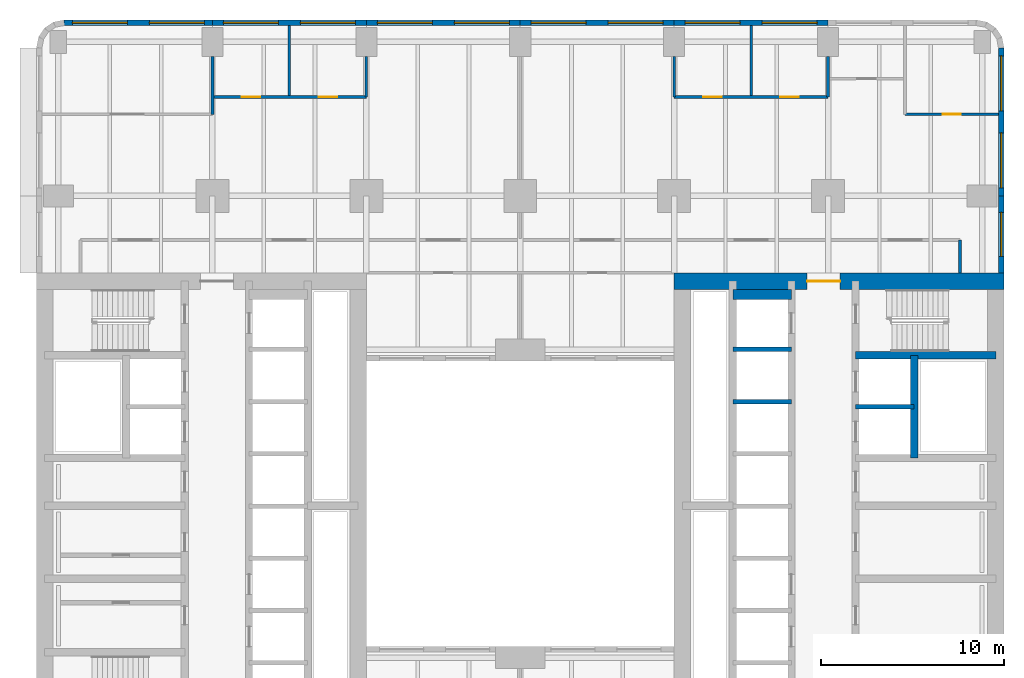
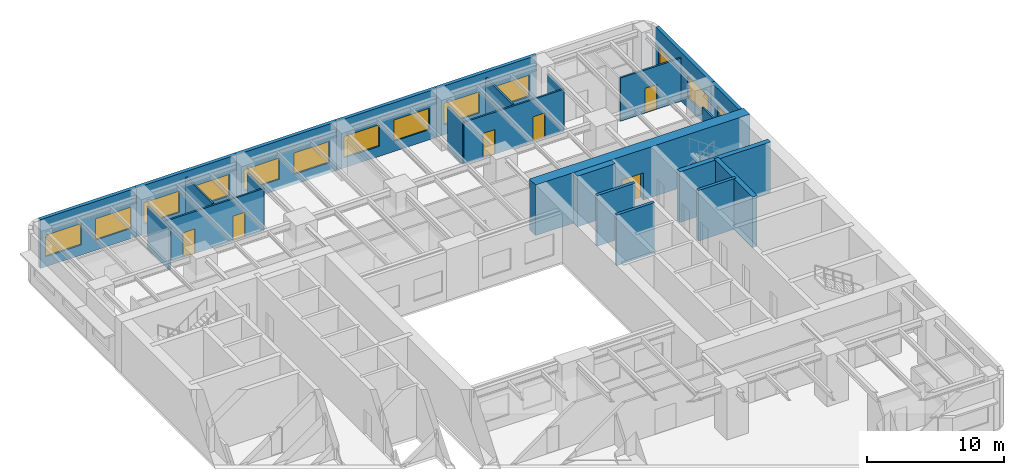
# One storey, part 7 of 12: 24 walls, 13 windows, 6 doors, 19 openings.
"""IFC4 building model written with IfcOpenShell, lengths in metres."""

from ifc_helpers import new_model, si_unit, direction, frame, frame_2d, origin, place, context, subcontext, project, spatial, rectangle, extrude, material, layer, layer_set, type_object, element, fill, save


model = new_model("IFC4")

# Units and contexts
model_context = context("Model", 3, precision=1e-05, world=origin(), true_north=direction((0.0, 1.0)))
body_context = subcontext(model_context, "Body", "Model", "MODEL_VIEW")
ifc_project = project(units=[si_unit("LENGTHUNIT", "METRE"), si_unit("AREAUNIT", "SQUARE_METRE"), si_unit("VOLUMEUNIT", "CUBIC_METRE"), si_unit("PLANEANGLEUNIT", "RADIAN"), si_unit("MASSUNIT", "GRAM", prefix="KILO")], contexts=[model_context])

# Site, building, storey
site_placement = place(None, origin())
site = spatial("IfcSite", under=ifc_project, at=site_placement, CompositionType="ELEMENT")
building_placement = place(site_placement, origin())
building = spatial("IfcBuilding", under=site, at=building_placement, Name="Claustro Exchange Tower", CompositionType="ELEMENT")
storey_placement = place(building_placement, frame((0.0, 0.0, 50.39990234375)))
storey = spatial("IfcBuildingStorey", under=building, at=storey_placement, Name="L11", CompositionType="ELEMENT", Elevation=50.39990234375)

# Wall, openings, doors
ifc_material_1 = material(Name="Gypsum board on steel studs", Category="steel")
ifc_layer_1 = layer(ifc_material_1, 0.14990234375)
ifc_layer_set_1 = layer_set([ifc_layer_1], Name="Gypsum board on steel studs")
wall_type_1 = type_object("IfcWallType", Name="P1 150 plasterboard partition", PredefinedType="PARTITIONING", material=ifc_layer_set_1)
wall_1_placement = place(storey_placement, frame((8.47412109375, 47.39990234375, 0.0), z_axis=(0.0, 0.0, 1.0), x_axis=(1.0, 0.0, 0.0)))
wall_1 = element("IfcWall", 1, at=wall_1_placement, inside=storey, type_object=wall_type_1, Name="Partition P1 L11", PredefinedType="PARTITIONING", context=body_context, shape_type="SweptSolid", body=[
    extrude(rectangle(XDim=8.325927734375, YDim=0.14990234375, at=frame_2d((4.1630859375, 0.0))), origin(), (0.0, 0.0, 1.0), 3.739990234375),
])
opening_1_placement = place(wall_1_placement, frame((1.52587890625, 0.0, 0.0)))
opening_1 = element("IfcOpeningElement", 2, at=opening_1_placement, cuts=wall_1, Name="Opening D1", PredefinedType="OPENING", context=body_context, shape_type="SweptSolid", body=[
    extrude(rectangle(XDim=1.0, YDim=2.199951171875, at=frame_2d((0.5, 1.10009765625))), frame((0.0, 0.0849609375, 0.0), z_axis=(0.0, -1.0, 0.0), x_axis=(1.0, 0.0, 0.0)), (0.0, 0.0, 1.0), 0.169921875),
])
opening_2_placement = place(wall_1_placement, frame((5.72607421875, 0.0, 0.0)))
opening_2 = element("IfcOpeningElement", 3, at=opening_2_placement, cuts=wall_1, Name="Opening D1", PredefinedType="OPENING", context=body_context, shape_type="SweptSolid", body=[
    extrude(rectangle(XDim=1.0, YDim=2.199951171875, at=frame_2d((0.5, 1.10009765625))), frame((0.0, 0.0849609375, 0.0), z_axis=(0.0, -1.0, 0.0), x_axis=(1.0, 0.0, 0.0)), (0.0, 0.0, 1.0), 0.169921875),
])
ifc_material_2 = material(Name="Timber door, oak veneer", Category="wood")
door_type_1 = type_object("IfcDoorType", Name="D1 1000 x 2200 single door", OperationType="SINGLE_SWING_LEFT", PredefinedType="DOOR", material=ifc_material_2)
door_1_placement = place(opening_1_placement, origin())
door_1 = element("IfcDoor", 4, at=door_1_placement, inside=storey, type_object=door_type_1, Name="Door D1 L11", OperationType="SINGLE_SWING_RIGHT", OverallHeight=2.199951171875, OverallWidth=1.0, PredefinedType="DOOR", context=body_context, shape_type="SweptSolid", body=[
    extrude(rectangle(XDim=1.0, YDim=2.199951171875, at=frame_2d((0.5, 1.10009765625))), frame((0.0, 0.02490234375, 0.0), z_axis=(0.0, -1.0, 0.0), x_axis=(1.0, 0.0, 0.0)), (0.0, 0.0, 1.0), 0.050048828125),
])
fill(opening_1, door_1)
door_2_placement = place(opening_2_placement, origin())
door_2 = element("IfcDoor", 5, at=door_2_placement, inside=storey, type_object=door_type_1, Name="Door D1 L11", OperationType="SINGLE_SWING_LEFT", OverallHeight=2.199951171875, OverallWidth=1.0, PredefinedType="DOOR", context=body_context, shape_type="SweptSolid", body=[
    extrude(rectangle(XDim=1.0, YDim=2.199951171875, at=frame_2d((0.5, 1.10009765625))), frame((0.0, 0.02490234375, 0.0), z_axis=(0.0, -1.0, 0.0), x_axis=(1.0, 0.0, 0.0)), (0.0, 0.0, 1.0), 0.050048828125),
])
fill(opening_2, door_2)

# Walls
wall_2_placement = place(storey_placement, frame((8.39990234375, 46.449951171875, 0.0), z_axis=(0.0, 0.0, 1.0), x_axis=(0.0, 1.0, 0.0)))
element("IfcWall", 6, at=wall_2_placement, inside=storey, type_object=wall_type_1, Name="Partition P1 L11", PredefinedType="PARTITIONING", context=body_context, shape_type="SweptSolid", body=[
    extrude(rectangle(XDim=3.151123046875, YDim=0.14990234375, at=frame_2d((1.57568359375, 0.0))), origin(), (0.0, 0.0, 1.0), 3.739990234375),
])
wall_3_placement = place(storey_placement, frame((12.60009765625, 47.47412109375, 0.0), z_axis=(0.0, 0.0, 1.0), x_axis=(0.0, 1.0, 0.0)))
element("IfcWall", 7, at=wall_3_placement, inside=storey, type_object=wall_type_1, Name="Partition P1 L11", PredefinedType="PARTITIONING", context=body_context, shape_type="SweptSolid", body=[
    extrude(rectangle(XDim=3.827880859375, YDim=0.14990234375, at=frame_2d((1.9140625, 0.0))), origin(), (0.0, 0.0, 1.0), 3.840087890625),
])
wall_4_placement = place(storey_placement, frame((16.800048828125, 47.39990234375, 0.0), z_axis=(0.0, 0.0, 1.0), x_axis=(0.0, 1.0, 0.0)))
element("IfcWall", 8, at=wall_4_placement, inside=storey, type_object=wall_type_1, Name="Partition P1 L11", PredefinedType="PARTITIONING", context=body_context, shape_type="SweptSolid", body=[
    extrude(rectangle(XDim=2.201171875, YDim=0.14990234375, at=frame_2d((1.1005859375, 0.0))), origin(), (0.0, 0.0, 1.0), 3.739990234375),
])

# Wall, opening, door
wall_5_placement = place(storey_placement, frame((46.199951171875, 46.449951171875, 0.0), z_axis=(0.0, 0.0, 1.0), x_axis=(1.0, 0.0, 0.0)))
wall_5 = element("IfcWall", 9, at=wall_5_placement, inside=storey, type_object=wall_type_1, Name="Partition P1 L11", PredefinedType="PARTITIONING", context=body_context, shape_type="SweptSolid", body=[
    extrude(rectangle(XDim=5.10205078125, YDim=0.14990234375, at=frame_2d((2.551025390625, 0.0))), origin(), (0.0, 0.0, 1.0), 3.840087890625),
])
opening_3_placement = place(wall_5_placement, frame((2.050048828125, 0.0, 0.0)))
opening_3 = element("IfcOpeningElement", 10, at=opening_3_placement, cuts=wall_5, Name="Opening D1", PredefinedType="OPENING", context=body_context, shape_type="SweptSolid", body=[
    extrude(rectangle(XDim=1.0, YDim=2.199951171875, at=frame_2d((0.5, 1.10009765625))), frame((0.0, 0.0849609375, 0.0), z_axis=(0.0, -1.0, 0.0), x_axis=(1.0, 0.0, 0.0)), (0.0, 0.0, 1.0), 0.169921875),
])
door_3_placement = place(opening_3_placement, origin())
door_3 = element("IfcDoor", 11, at=door_3_placement, inside=storey, type_object=door_type_1, Name="Door D1 L11", OperationType="SINGLE_SWING_LEFT", OverallHeight=2.199951171875, OverallWidth=1.0, PredefinedType="DOOR", context=body_context, shape_type="SweptSolid", body=[
    extrude(rectangle(XDim=1.0, YDim=2.199951171875, at=frame_2d((0.5, 1.10009765625))), frame((0.0, 0.02490234375, 0.0), z_axis=(0.0, -1.0, 0.0), x_axis=(1.0, 0.0, 0.0)), (0.0, 0.0, 1.0), 0.050048828125),
])
fill(opening_3, door_3)

# Wall, openings, doors
wall_6_placement = place(storey_placement, frame((33.60009765625, 47.39990234375, 0.0), z_axis=(0.0, 0.0, 1.0), x_axis=(1.0, 0.0, 0.0)))
wall_6 = element("IfcWall", 12, at=wall_6_placement, inside=storey, type_object=wall_type_1, Name="Partition P1 L11", PredefinedType="PARTITIONING", context=body_context, shape_type="SweptSolid", body=[
    extrude(rectangle(XDim=8.39990234375, YDim=0.14990234375, at=frame_2d((4.199951171875, 0.0))), origin(), (0.0, 0.0, 1.0), 3.739990234375),
])
opening_4_placement = place(wall_6_placement, frame((1.60009765625, 0.0, 0.0)))
opening_4 = element("IfcOpeningElement", 13, at=opening_4_placement, cuts=wall_6, Name="Opening D1", PredefinedType="OPENING", context=body_context, shape_type="SweptSolid", body=[
    extrude(rectangle(XDim=1.0, YDim=2.199951171875, at=frame_2d((0.5, 1.10009765625))), frame((0.0, 0.0849609375, 0.0), z_axis=(0.0, -1.0, 0.0), x_axis=(1.0, 0.0, 0.0)), (0.0, 0.0, 1.0), 0.169921875),
])
opening_5_placement = place(wall_6_placement, frame((5.800048828125, 0.0, 0.0)))
opening_5 = element("IfcOpeningElement", 14, at=opening_5_placement, cuts=wall_6, Name="Opening D1", PredefinedType="OPENING", context=body_context, shape_type="SweptSolid", body=[
    extrude(rectangle(XDim=1.0, YDim=2.199951171875, at=frame_2d((0.5, 1.10009765625))), frame((0.0, 0.0849609375, 0.0), z_axis=(0.0, -1.0, 0.0), x_axis=(1.0, 0.0, 0.0)), (0.0, 0.0, 1.0), 0.169921875),
])
door_4_placement = place(opening_4_placement, origin())
door_4 = element("IfcDoor", 15, at=door_4_placement, inside=storey, type_object=door_type_1, Name="Door D1 L11", OperationType="SINGLE_SWING_RIGHT", OverallHeight=2.199951171875, OverallWidth=1.0, PredefinedType="DOOR", context=body_context, shape_type="SweptSolid", body=[
    extrude(rectangle(XDim=1.0, YDim=2.199951171875, at=frame_2d((0.5, 1.10009765625))), frame((0.0, 0.02490234375, 0.0), z_axis=(0.0, -1.0, 0.0), x_axis=(1.0, 0.0, 0.0)), (0.0, 0.0, 1.0), 0.050048828125),
])
fill(opening_4, door_4)
door_5_placement = place(opening_5_placement, origin())
door_5 = element("IfcDoor", 16, at=door_5_placement, inside=storey, type_object=door_type_1, Name="Door D1 L11", OperationType="SINGLE_SWING_RIGHT", OverallHeight=2.199951171875, OverallWidth=1.0, PredefinedType="DOOR", context=body_context, shape_type="SweptSolid", body=[
    extrude(rectangle(XDim=1.0, YDim=2.199951171875, at=frame_2d((0.5, 1.10009765625))), frame((0.0, 0.02490234375, 0.0), z_axis=(0.0, -1.0, 0.0), x_axis=(1.0, 0.0, 0.0)), (0.0, 0.0, 1.0), 0.050048828125),
])
fill(opening_5, door_5)

# Walls
wall_7_placement = place(storey_placement, frame((33.60009765625, 47.39990234375, 0.0), z_axis=(0.0, 0.0, 1.0), x_axis=(0.0, 1.0, 0.0)))
element("IfcWall", 17, at=wall_7_placement, inside=storey, type_object=wall_type_1, Name="Partition P1 L11", PredefinedType="PARTITIONING", context=body_context, shape_type="SweptSolid", body=[
    extrude(rectangle(XDim=2.201171875, YDim=0.14990234375, at=frame_2d((1.1005859375, 0.0))), origin(), (0.0, 0.0, 1.0), 3.739990234375),
])
wall_8_placement = place(storey_placement, frame((37.800048828125, 47.47412109375, 0.0), z_axis=(0.0, 0.0, 1.0), x_axis=(0.0, 1.0, 0.0)))
element("IfcWall", 18, at=wall_8_placement, inside=storey, type_object=wall_type_1, Name="Partition P1 L11", PredefinedType="PARTITIONING", context=body_context, shape_type="SweptSolid", body=[
    extrude(rectangle(XDim=3.827880859375, YDim=0.14990234375, at=frame_2d((1.9140625, 0.0))), origin(), (0.0, 0.0, 1.0), 3.840087890625),
])
wall_9_placement = place(storey_placement, frame((42.0, 47.39990234375, 0.0), z_axis=(0.0, 0.0, 1.0), x_axis=(0.0, 1.0, 0.0)))
element("IfcWall", 19, at=wall_9_placement, inside=storey, type_object=wall_type_1, Name="Partition P1 L11", PredefinedType="PARTITIONING", context=body_context, shape_type="SweptSolid", body=[
    extrude(rectangle(XDim=2.201171875, YDim=0.14990234375, at=frame_2d((1.1005859375, 0.0))), origin(), (0.0, 0.0, 1.0), 3.739990234375),
])
wall_10_placement = place(storey_placement, frame((49.199951171875, 37.800048828125, 0.0), z_axis=(0.0, 0.0, 1.0), x_axis=(0.0, 1.0, 0.0)))
element("IfcWall", 20, at=wall_10_placement, inside=storey, type_object=wall_type_1, Name="Partition P1 L11", PredefinedType="PARTITIONING", context=body_context, shape_type="SweptSolid", body=[
    extrude(rectangle(XDim=1.800048828125, YDim=0.14990234375, at=frame_2d((0.89990234375, 0.0))), origin(), (0.0, 0.0, 1.0), 4.340087890625),
])

# Wall, openings, windows
ifc_material_3 = material(Name="Concrete HA-40 (C40/50), precast, white cement, acid-etched", Category="concrete")
ifc_layer_2 = layer(ifc_material_3, 0.300048828125)
ifc_layer_set_2 = layer_set([ifc_layer_2], Name="Concrete HA-40 (C40/50), precast, white cement, acid-etched")
wall_type_2 = type_object("IfcWallType", Name="PC1 300 precast concrete pier panel", PredefinedType="SOLIDWALL", material=ifc_layer_set_2)
wall_11_placement = place(storey_placement, frame((0.314697265625, 51.449951171875, 0.0), z_axis=(0.0, 0.0, 1.0), x_axis=(1.0, 0.0, 0.0)))
wall_11 = element("IfcWall", 21, at=wall_11_placement, inside=storey, type_object=wall_type_2, Name="Precast pier panel PC1 L11", PredefinedType="SOLIDWALL", context=body_context, shape_type="SweptSolid", body=[
    extrude(rectangle(XDim=8.085205078125, YDim=0.300048828125, at=frame_2d((4.04248046875, 0.0))), origin(), (0.0, 0.0, 1.0), 4.340087890625),
])
opening_6_placement = place(wall_11_placement, frame((0.442626953125, 0.0, 0.89990234375)))
opening_6 = element("IfcOpeningElement", 22, at=opening_6_placement, cuts=wall_11, Name="Opening W1", PredefinedType="OPENING", context=body_context, shape_type="SweptSolid", body=[
    extrude(rectangle(XDim=3.0, YDim=1.89990234375, at=frame_2d((1.5, 0.949951171875))), frame((0.0, 0.159912109375, 0.0), z_axis=(0.0, -1.0, 0.0), x_axis=(1.0, 0.0, 0.0)), (0.0, 0.0, 1.0), 0.320068359375),
])
opening_7_placement = place(wall_11_placement, frame((4.642578125, 0.0, 0.89990234375)))
opening_7 = element("IfcOpeningElement", 23, at=opening_7_placement, cuts=wall_11, Name="Opening W1", PredefinedType="OPENING", context=body_context, shape_type="SweptSolid", body=[
    extrude(rectangle(XDim=3.0, YDim=1.89990234375, at=frame_2d((1.5, 0.949951171875))), frame((0.0, 0.159912109375, 0.0), z_axis=(0.0, -1.0, 0.0), x_axis=(1.0, 0.0, 0.0)), (0.0, 0.0, 1.0), 0.320068359375),
])
ifc_material_4 = material(Name="Aluminium frame, clear double glazing", Category="aluminium")
window_type_1 = type_object("IfcWindowType", Name="W1 3000 x 1900 window", PartitioningType="SINGLE_PANEL", PredefinedType="WINDOW", material=ifc_material_4)
window_1_placement = place(opening_6_placement, origin())
window_1 = element("IfcWindow", 24, at=window_1_placement, inside=storey, type_object=window_type_1, Name="Window W1 L11", OverallHeight=1.89990234375, OverallWidth=3.0, PartitioningType="SINGLE_PANEL", PredefinedType="WINDOW", context=body_context, shape_type="SweptSolid", body=[
    extrude(rectangle(XDim=3.0, YDim=1.89990234375, at=frame_2d((1.5, 0.949951171875))), frame((0.0, 0.030029296875, 0.0), z_axis=(0.0, -1.0, 0.0), x_axis=(1.0, 0.0, 0.0)), (0.0, 0.0, 1.0), 0.06005859375),
])
fill(opening_6, window_1)
window_2_placement = place(opening_7_placement, origin())
window_2 = element("IfcWindow", 25, at=window_2_placement, inside=storey, type_object=window_type_1, Name="Window W1 L11", OverallHeight=1.89990234375, OverallWidth=3.0, PartitioningType="SINGLE_PANEL", PredefinedType="WINDOW", context=body_context, shape_type="SweptSolid", body=[
    extrude(rectangle(XDim=3.0, YDim=1.89990234375, at=frame_2d((1.5, 0.949951171875))), frame((0.0, 0.030029296875, 0.0), z_axis=(0.0, -1.0, 0.0), x_axis=(1.0, 0.0, 0.0)), (0.0, 0.0, 1.0), 0.06005859375),
])
fill(opening_7, window_2)

wall_12_placement = place(storey_placement, frame((8.39990234375, 51.449951171875, 0.0), z_axis=(0.0, 0.0, 1.0), x_axis=(1.0, 0.0, 0.0)))
wall_12 = element("IfcWall", 26, at=wall_12_placement, inside=storey, type_object=wall_type_2, Name="Precast pier panel PC1 L11", PredefinedType="SOLIDWALL", context=body_context, shape_type="SweptSolid", body=[
    extrude(rectangle(XDim=8.400146484375, YDim=0.300048828125, at=frame_2d((4.2001953125, 0.0))), origin(), (0.0, 0.0, 1.0), 4.340087890625),
])
opening_8_placement = place(wall_12_placement, frame((0.60009765625, 0.0, 0.89990234375)))
opening_8 = element("IfcOpeningElement", 27, at=opening_8_placement, cuts=wall_12, Name="Opening W1", PredefinedType="OPENING", context=body_context, shape_type="SweptSolid", body=[
    extrude(rectangle(XDim=3.0, YDim=1.89990234375, at=frame_2d((1.5, 0.949951171875))), frame((0.0, 0.159912109375, 0.0), z_axis=(0.0, -1.0, 0.0), x_axis=(1.0, 0.0, 0.0)), (0.0, 0.0, 1.0), 0.320068359375),
])
opening_9_placement = place(wall_12_placement, frame((4.800048828125, 0.0, 0.89990234375)))
opening_9 = element("IfcOpeningElement", 28, at=opening_9_placement, cuts=wall_12, Name="Opening W1", PredefinedType="OPENING", context=body_context, shape_type="SweptSolid", body=[
    extrude(rectangle(XDim=3.0, YDim=1.89990234375, at=frame_2d((1.5, 0.949951171875))), frame((0.0, 0.159912109375, 0.0), z_axis=(0.0, -1.0, 0.0), x_axis=(1.0, 0.0, 0.0)), (0.0, 0.0, 1.0), 0.320068359375),
])
window_3_placement = place(opening_8_placement, origin())
window_3 = element("IfcWindow", 29, at=window_3_placement, inside=storey, type_object=window_type_1, Name="Window W1 L11", OverallHeight=1.89990234375, OverallWidth=3.0, PartitioningType="SINGLE_PANEL", PredefinedType="WINDOW", context=body_context, shape_type="SweptSolid", body=[
    extrude(rectangle(XDim=3.0, YDim=1.89990234375, at=frame_2d((1.5, 0.949951171875))), frame((0.0, 0.030029296875, 0.0), z_axis=(0.0, -1.0, 0.0), x_axis=(1.0, 0.0, 0.0)), (0.0, 0.0, 1.0), 0.06005859375),
])
fill(opening_8, window_3)
window_4_placement = place(opening_9_placement, origin())
window_4 = element("IfcWindow", 30, at=window_4_placement, inside=storey, type_object=window_type_1, Name="Window W1 L11", OverallHeight=1.89990234375, OverallWidth=3.0, PartitioningType="SINGLE_PANEL", PredefinedType="WINDOW", context=body_context, shape_type="SweptSolid", body=[
    extrude(rectangle(XDim=3.0, YDim=1.89990234375, at=frame_2d((1.5, 0.949951171875))), frame((0.0, 0.030029296875, 0.0), z_axis=(0.0, -1.0, 0.0), x_axis=(1.0, 0.0, 0.0)), (0.0, 0.0, 1.0), 0.06005859375),
])
fill(opening_9, window_4)

wall_13_placement = place(storey_placement, frame((16.800048828125, 51.449951171875, 0.0), z_axis=(0.0, 0.0, 1.0), x_axis=(1.0, 0.0, 0.0)))
wall_13 = element("IfcWall", 31, at=wall_13_placement, inside=storey, type_object=wall_type_2, Name="Precast pier panel PC1 L11", PredefinedType="SOLIDWALL", context=body_context, shape_type="SweptSolid", body=[
    extrude(rectangle(XDim=8.39990234375, YDim=0.300048828125, at=frame_2d((4.199951171875, 0.0))), origin(), (0.0, 0.0, 1.0), 4.340087890625),
])
opening_10_placement = place(wall_13_placement, frame((0.60009765625, 0.0, 0.89990234375)))
opening_10 = element("IfcOpeningElement", 32, at=opening_10_placement, cuts=wall_13, Name="Opening W1", PredefinedType="OPENING", context=body_context, shape_type="SweptSolid", body=[
    extrude(rectangle(XDim=3.0, YDim=1.89990234375, at=frame_2d((1.5, 0.949951171875))), frame((0.0, 0.159912109375, 0.0), z_axis=(0.0, -1.0, 0.0), x_axis=(1.0, 0.0, 0.0)), (0.0, 0.0, 1.0), 0.320068359375),
])
opening_11_placement = place(wall_13_placement, frame((4.800048828125, 0.0, 0.89990234375)))
opening_11 = element("IfcOpeningElement", 33, at=opening_11_placement, cuts=wall_13, Name="Opening W1", PredefinedType="OPENING", context=body_context, shape_type="SweptSolid", body=[
    extrude(rectangle(XDim=3.0, YDim=1.89990234375, at=frame_2d((1.5, 0.949951171875))), frame((0.0, 0.159912109375, 0.0), z_axis=(0.0, -1.0, 0.0), x_axis=(1.0, 0.0, 0.0)), (0.0, 0.0, 1.0), 0.320068359375),
])
window_5_placement = place(opening_10_placement, origin())
window_5 = element("IfcWindow", 34, at=window_5_placement, inside=storey, type_object=window_type_1, Name="Window W1 L11", OverallHeight=1.89990234375, OverallWidth=3.0, PartitioningType="SINGLE_PANEL", PredefinedType="WINDOW", context=body_context, shape_type="SweptSolid", body=[
    extrude(rectangle(XDim=3.0, YDim=1.89990234375, at=frame_2d((1.5, 0.949951171875))), frame((0.0, 0.030029296875, 0.0), z_axis=(0.0, -1.0, 0.0), x_axis=(1.0, 0.0, 0.0)), (0.0, 0.0, 1.0), 0.06005859375),
])
fill(opening_10, window_5)
window_6_placement = place(opening_11_placement, origin())
window_6 = element("IfcWindow", 35, at=window_6_placement, inside=storey, type_object=window_type_1, Name="Window W1 L11", OverallHeight=1.89990234375, OverallWidth=3.0, PartitioningType="SINGLE_PANEL", PredefinedType="WINDOW", context=body_context, shape_type="SweptSolid", body=[
    extrude(rectangle(XDim=3.0, YDim=1.89990234375, at=frame_2d((1.5, 0.949951171875))), frame((0.0, 0.030029296875, 0.0), z_axis=(0.0, -1.0, 0.0), x_axis=(1.0, 0.0, 0.0)), (0.0, 0.0, 1.0), 0.06005859375),
])
fill(opening_11, window_6)

wall_14_placement = place(storey_placement, frame((25.199951171875, 51.449951171875, 0.0), z_axis=(0.0, 0.0, 1.0), x_axis=(1.0, 0.0, 0.0)))
wall_14 = element("IfcWall", 36, at=wall_14_placement, inside=storey, type_object=wall_type_2, Name="Precast pier panel PC1 L11", PredefinedType="SOLIDWALL", context=body_context, shape_type="SweptSolid", body=[
    extrude(rectangle(XDim=8.400146484375, YDim=0.300048828125, at=frame_2d((4.2001953125, 0.0))), origin(), (0.0, 0.0, 1.0), 4.340087890625),
])
opening_12_placement = place(wall_14_placement, frame((0.60009765625, 0.0, 0.89990234375)))
opening_12 = element("IfcOpeningElement", 37, at=opening_12_placement, cuts=wall_14, Name="Opening W1", PredefinedType="OPENING", context=body_context, shape_type="SweptSolid", body=[
    extrude(rectangle(XDim=3.0, YDim=1.89990234375, at=frame_2d((1.5, 0.949951171875))), frame((0.0, 0.159912109375, 0.0), z_axis=(0.0, -1.0, 0.0), x_axis=(1.0, 0.0, 0.0)), (0.0, 0.0, 1.0), 0.320068359375),
])
opening_13_placement = place(wall_14_placement, frame((4.800048828125, 0.0, 0.89990234375)))
opening_13 = element("IfcOpeningElement", 38, at=opening_13_placement, cuts=wall_14, Name="Opening W1", PredefinedType="OPENING", context=body_context, shape_type="SweptSolid", body=[
    extrude(rectangle(XDim=3.0, YDim=1.89990234375, at=frame_2d((1.5, 0.949951171875))), frame((0.0, 0.159912109375, 0.0), z_axis=(0.0, -1.0, 0.0), x_axis=(1.0, 0.0, 0.0)), (0.0, 0.0, 1.0), 0.320068359375),
])
window_7_placement = place(opening_12_placement, origin())
window_7 = element("IfcWindow", 39, at=window_7_placement, inside=storey, type_object=window_type_1, Name="Window W1 L11", OverallHeight=1.89990234375, OverallWidth=3.0, PartitioningType="SINGLE_PANEL", PredefinedType="WINDOW", context=body_context, shape_type="SweptSolid", body=[
    extrude(rectangle(XDim=3.0, YDim=1.89990234375, at=frame_2d((1.5, 0.949951171875))), frame((0.0, 0.030029296875, 0.0), z_axis=(0.0, -1.0, 0.0), x_axis=(1.0, 0.0, 0.0)), (0.0, 0.0, 1.0), 0.06005859375),
])
fill(opening_12, window_7)
window_8_placement = place(opening_13_placement, origin())
window_8 = element("IfcWindow", 40, at=window_8_placement, inside=storey, type_object=window_type_1, Name="Window W1 L11", OverallHeight=1.89990234375, OverallWidth=3.0, PartitioningType="SINGLE_PANEL", PredefinedType="WINDOW", context=body_context, shape_type="SweptSolid", body=[
    extrude(rectangle(XDim=3.0, YDim=1.89990234375, at=frame_2d((1.5, 0.949951171875))), frame((0.0, 0.030029296875, 0.0), z_axis=(0.0, -1.0, 0.0), x_axis=(1.0, 0.0, 0.0)), (0.0, 0.0, 1.0), 0.06005859375),
])
fill(opening_13, window_8)

wall_15_placement = place(storey_placement, frame((33.60009765625, 51.449951171875, 0.0), z_axis=(0.0, 0.0, 1.0), x_axis=(1.0, 0.0, 0.0)))
wall_15 = element("IfcWall", 41, at=wall_15_placement, inside=storey, type_object=wall_type_2, Name="Precast pier panel PC1 L11", PredefinedType="SOLIDWALL", context=body_context, shape_type="SweptSolid", body=[
    extrude(rectangle(XDim=8.39990234375, YDim=0.300048828125, at=frame_2d((4.199951171875, 0.0))), origin(), (0.0, 0.0, 1.0), 4.340087890625),
])
opening_14_placement = place(wall_15_placement, frame((0.60009765625, 0.0, 0.89990234375)))
opening_14 = element("IfcOpeningElement", 42, at=opening_14_placement, cuts=wall_15, Name="Opening W1", PredefinedType="OPENING", context=body_context, shape_type="SweptSolid", body=[
    extrude(rectangle(XDim=3.0, YDim=1.89990234375, at=frame_2d((1.5, 0.949951171875))), frame((0.0, 0.159912109375, 0.0), z_axis=(0.0, -1.0, 0.0), x_axis=(1.0, 0.0, 0.0)), (0.0, 0.0, 1.0), 0.320068359375),
])
opening_15_placement = place(wall_15_placement, frame((4.800048828125, 0.0, 0.89990234375)))
opening_15 = element("IfcOpeningElement", 43, at=opening_15_placement, cuts=wall_15, Name="Opening W1", PredefinedType="OPENING", context=body_context, shape_type="SweptSolid", body=[
    extrude(rectangle(XDim=3.0, YDim=1.89990234375, at=frame_2d((1.5, 0.949951171875))), frame((0.0, 0.159912109375, 0.0), z_axis=(0.0, -1.0, 0.0), x_axis=(1.0, 0.0, 0.0)), (0.0, 0.0, 1.0), 0.320068359375),
])
window_9_placement = place(opening_14_placement, origin())
window_9 = element("IfcWindow", 44, at=window_9_placement, inside=storey, type_object=window_type_1, Name="Window W1 L11", OverallHeight=1.89990234375, OverallWidth=3.0, PartitioningType="SINGLE_PANEL", PredefinedType="WINDOW", context=body_context, shape_type="SweptSolid", body=[
    extrude(rectangle(XDim=3.0, YDim=1.89990234375, at=frame_2d((1.5, 0.949951171875))), frame((0.0, 0.030029296875, 0.0), z_axis=(0.0, -1.0, 0.0), x_axis=(1.0, 0.0, 0.0)), (0.0, 0.0, 1.0), 0.06005859375),
])
fill(opening_14, window_9)
window_10_placement = place(opening_15_placement, origin())
window_10 = element("IfcWindow", 45, at=window_10_placement, inside=storey, type_object=window_type_1, Name="Window W1 L11", OverallHeight=1.89990234375, OverallWidth=3.0, PartitioningType="SINGLE_PANEL", PredefinedType="WINDOW", context=body_context, shape_type="SweptSolid", body=[
    extrude(rectangle(XDim=3.0, YDim=1.89990234375, at=frame_2d((1.5, 0.949951171875))), frame((0.0, 0.030029296875, 0.0), z_axis=(0.0, -1.0, 0.0), x_axis=(1.0, 0.0, 0.0)), (0.0, 0.0, 1.0), 0.06005859375),
])
fill(opening_15, window_10)

wall_16_placement = place(storey_placement, frame((51.449951171875, 50.085205078125, 0.0), z_axis=(0.0, 0.0, 1.0), x_axis=(0.0, -1.0, 0.0)))
wall_16 = element("IfcWall", 46, at=wall_16_placement, inside=storey, type_object=wall_type_2, Name="Precast pier panel PC1 L11", PredefinedType="SOLIDWALL", context=body_context, shape_type="SweptSolid", body=[
    extrude(rectangle(XDim=8.085205078125, YDim=0.300048828125, at=frame_2d((4.04248046875, 0.0))), origin(), (0.0, 0.0, 1.0), 4.340087890625),
])
opening_16_placement = place(wall_16_placement, frame((0.442626953125, 0.0, 0.89990234375)))
opening_16 = element("IfcOpeningElement", 47, at=opening_16_placement, cuts=wall_16, Name="Opening W1", PredefinedType="OPENING", context=body_context, shape_type="SweptSolid", body=[
    extrude(rectangle(XDim=3.0, YDim=1.89990234375, at=frame_2d((1.5, 0.949951171875))), frame((0.0, 0.159912109375, 0.0), z_axis=(0.0, -1.0, 0.0), x_axis=(1.0, 0.0, 0.0)), (0.0, 0.0, 1.0), 0.320068359375),
])
opening_17_placement = place(wall_16_placement, frame((4.642578125, 0.0, 0.89990234375)))
opening_17 = element("IfcOpeningElement", 48, at=opening_17_placement, cuts=wall_16, Name="Opening W1", PredefinedType="OPENING", context=body_context, shape_type="SweptSolid", body=[
    extrude(rectangle(XDim=3.0, YDim=1.89990234375, at=frame_2d((1.5, 0.949951171875))), frame((0.0, 0.159912109375, 0.0), z_axis=(0.0, -1.0, 0.0), x_axis=(1.0, 0.0, 0.0)), (0.0, 0.0, 1.0), 0.320068359375),
])
window_11_placement = place(opening_16_placement, origin())
window_11 = element("IfcWindow", 49, at=window_11_placement, inside=storey, type_object=window_type_1, Name="Window W1 L11", OverallHeight=1.89990234375, OverallWidth=3.0, PartitioningType="SINGLE_PANEL", PredefinedType="WINDOW", context=body_context, shape_type="SweptSolid", body=[
    extrude(rectangle(XDim=3.0, YDim=1.89990234375, at=frame_2d((1.5, 0.949951171875))), frame((0.0, 0.030029296875, 0.0), z_axis=(0.0, -1.0, 0.0), x_axis=(1.0, 0.0, 0.0)), (0.0, 0.0, 1.0), 0.06005859375),
])
fill(opening_16, window_11)
window_12_placement = place(opening_17_placement, origin())
window_12 = element("IfcWindow", 50, at=window_12_placement, inside=storey, type_object=window_type_1, Name="Window W1 L11", OverallHeight=1.89990234375, OverallWidth=3.0, PartitioningType="SINGLE_PANEL", PredefinedType="WINDOW", context=body_context, shape_type="SweptSolid", body=[
    extrude(rectangle(XDim=3.0, YDim=1.89990234375, at=frame_2d((1.5, 0.949951171875))), frame((0.0, 0.030029296875, 0.0), z_axis=(0.0, -1.0, 0.0), x_axis=(1.0, 0.0, 0.0)), (0.0, 0.0, 1.0), 0.06005859375),
])
fill(opening_17, window_12)

# Wall, opening, window
wall_17_placement = place(storey_placement, frame((51.449951171875, 42.0, 0.0), z_axis=(0.0, 0.0, 1.0), x_axis=(0.0, -1.0, 0.0)))
wall_17 = element("IfcWall", 51, at=wall_17_placement, inside=storey, type_object=wall_type_2, Name="Precast pier panel PC1 L11", PredefinedType="SOLIDWALL", context=body_context, shape_type="SweptSolid", body=[
    extrude(rectangle(XDim=4.199951171875, YDim=0.300048828125, at=frame_2d((2.10009765625, 0.0))), origin(), (0.0, 0.0, 1.0), 4.340087890625),
])
opening_18_placement = place(wall_17_placement, frame((0.89990234375, 0.0, 0.89990234375)))
opening_18 = element("IfcOpeningElement", 52, at=opening_18_placement, cuts=wall_17, Name="Opening W2", PredefinedType="OPENING", context=body_context, shape_type="SweptSolid", body=[
    extrude(rectangle(XDim=2.39990234375, YDim=1.89990234375, at=frame_2d((1.199951171875, 0.949951171875))), frame((0.0, 0.159912109375, 0.0), z_axis=(0.0, -1.0, 0.0), x_axis=(1.0, 0.0, 0.0)), (0.0, 0.0, 1.0), 0.320068359375),
])
ifc_material_5 = material(Name="Aluminium frame, clear double glazing", Category="aluminium")
window_type_2 = type_object("IfcWindowType", Name="W2 2400 x 1900 window", PartitioningType="SINGLE_PANEL", PredefinedType="WINDOW", material=ifc_material_5)
window_13_placement = place(opening_18_placement, origin())
window_13 = element("IfcWindow", 53, at=window_13_placement, inside=storey, type_object=window_type_2, Name="Window W2 L11", OverallHeight=1.89990234375, OverallWidth=2.39990234375, PartitioningType="SINGLE_PANEL", PredefinedType="WINDOW", context=body_context, shape_type="SweptSolid", body=[
    extrude(rectangle(XDim=2.39990234375, YDim=1.89990234375, at=frame_2d((1.199951171875, 0.949951171875))), frame((0.0, 0.030029296875, 0.0), z_axis=(0.0, -1.0, 0.0), x_axis=(1.0, 0.0, 0.0)), (0.0, 0.0, 1.0), 0.06005859375),
])
fill(opening_18, window_13)

# Wall, opening, door
ifc_material_6 = material(Name="Concrete HA-70 (C70/85)", Category="concrete")
ifc_layer_3 = layer(ifc_material_6, 0.89990234375)
ifc_layer_set_3 = layer_set([ifc_layer_3], Name="Concrete HA-70 (C70/85)")
wall_type_3 = type_object("IfcWallType", Name="SW1 900 core shear wall", PredefinedType="SHEAR", material=ifc_layer_set_3)
wall_18_placement = place(storey_placement, frame((33.60009765625, 37.35009765625, 0.0), z_axis=(0.0, 0.0, 1.0), x_axis=(1.0, 0.0, 0.0)))
wall_18 = element("IfcWall", 54, at=wall_18_placement, inside=storey, type_object=wall_type_3, Name="Core wall SW1 E core N face L11", PredefinedType="SHEAR", context=body_context, shape_type="SweptSolid", body=[
    extrude(rectangle(XDim=18.0, YDim=0.89990234375, at=frame_2d((9.0, 0.0))), origin(), (0.0, 0.0, 1.0), 4.5),
])
opening_19_placement = place(wall_18_placement, frame((7.25, 0.0, 0.0)))
opening_19 = element("IfcOpeningElement", 55, at=opening_19_placement, cuts=wall_18, Name="Opening D3", PredefinedType="OPENING", context=body_context, shape_type="SweptSolid", body=[
    extrude(rectangle(XDim=1.800048828125, YDim=2.39990234375, at=frame_2d((0.89990234375, 1.199951171875))), frame((0.0, 0.4599609375, 0.0), z_axis=(0.0, -1.0, 0.0), x_axis=(1.0, 0.0, 0.0)), (0.0, 0.0, 1.0), 0.919921875),
])
ifc_material_7 = material(Name="Steel fire door, painted", Category="steel")
door_type_2 = type_object("IfcDoorType", Name="D3 1800 x 2400 fire-rated lobby double door", OperationType="DOUBLE_DOOR_SINGLE_SWING", PredefinedType="DOOR", material=ifc_material_7)
door_6_placement = place(opening_19_placement, frame((1.800048828125, 0.0, 0.0), z_axis=(0.0, 0.0, 1.0), x_axis=(-1.0, 0.0, 0.0)))
door_6 = element("IfcDoor", 56, at=door_6_placement, inside=storey, type_object=door_type_2, Name="Lift lobby door D3 L11", OperationType="DOUBLE_DOOR_SINGLE_SWING", OverallHeight=2.39990234375, OverallWidth=1.800048828125, PredefinedType="DOOR", context=body_context, shape_type="SweptSolid", body=[
    extrude(rectangle(XDim=1.800048828125, YDim=2.39990234375, at=frame_2d((0.89990234375, 1.199951171875))), frame((0.0, 0.02490234375, 0.0), z_axis=(0.0, -1.0, 0.0), x_axis=(1.0, 0.0, 0.0)), (0.0, 0.0, 1.0), 0.050048828125),
])
fill(opening_19, door_6)

# Walls
ifc_material_8 = material(Name="Concrete HA-50 (C50/60)", Category="concrete")
ifc_layer_4 = layer(ifc_material_8, 0.39990234375)
ifc_layer_set_4 = layer_set([ifc_layer_4], Name="Concrete HA-50 (C50/60)")
wall_type_4 = type_object("IfcWallType", Name="SW4 400 internal core wall", PredefinedType="SHEAR", material=ifc_layer_set_4)
wall_19_placement = place(storey_placement, frame((51.14990234375, 33.300048828125, 0.0), z_axis=(0.0, 0.0, 1.0), x_axis=(-1.0, 0.0, 0.0)))
element("IfcWall", 57, at=wall_19_placement, inside=storey, type_object=wall_type_4, Name="Internal core wall SW4 E core L11", PredefinedType="SHEAR", context=body_context, shape_type="SweptSolid", body=[
    extrude(rectangle(XDim=7.64990234375, YDim=0.39990234375, at=frame_2d((3.824951171875, 0.0))), origin(), (0.0, 0.0, 1.0), 4.5),
])
wall_20_placement = place(storey_placement, frame((46.699951171875, 27.699951171875, 0.0), z_axis=(0.0, 0.0, 1.0), x_axis=(0.0, 1.0, 0.0)))
element("IfcWall", 58, at=wall_20_placement, inside=storey, type_object=wall_type_4, Name="Internal core wall SW4 E core L11", PredefinedType="SHEAR", context=body_context, shape_type="SweptSolid", body=[
    extrude(rectangle(XDim=5.60009765625, YDim=0.39990234375, at=frame_2d((2.800048828125, 0.0))), origin(), (0.0, 0.0, 1.0), 4.5),
])
ifc_material_9 = material(Name="Concrete HA-50 (C50/60)", Category="concrete")
ifc_layer_5 = layer(ifc_material_9, 0.25)
ifc_layer_set_5 = layer_set([ifc_layer_5], Name="Concrete HA-50 (C50/60)")
wall_type_5 = type_object("IfcWallType", Name="SW5 250 lift shaft divider wall", PredefinedType="SHEAR", material=ifc_layer_set_5)
for number, where, z_axis, x_axis, name in (
    (59, (46.699951171875, 30.5, 0.0), (0.0, 0.0, 1.0), (-1.0, 0.0, 0.0), "Lift shaft wall E core L11"),
    (60, (40.0, 30.77490234375, 0.0), (0.0, 0.0, 1.0), (-1.0, 0.0, 0.0), "Lift shaft wall E core L11"),
    (61, (40.0, 33.625, 0.0), (0.0, 0.0, 1.0), (-1.0, 0.0, 0.0), "Lift shaft wall E core L11"),
):
    element("IfcWall", number, at=place(storey_placement, frame(where, z_axis=z_axis, x_axis=x_axis)), inside=storey, type_object=wall_type_5, Name=name, PredefinedType="SHEAR", context=body_context, shape_type="SweptSolid", body=[
        extrude(rectangle(XDim=3.199951171875, YDim=0.25, at=frame_2d((1.60009765625, 0.0))), origin(), (0.0, 0.0, 1.0), 4.5),
    ])
ifc_material_10 = material(Name="Concrete HA-50 (C50/60)", Category="concrete")
ifc_layer_6 = layer(ifc_material_10, 0.550048828125)
ifc_layer_set_6 = layer_set([ifc_layer_6], Name="Concrete HA-50 (C50/60)")
wall_type_6 = type_object("IfcWallType", Name="SW6 550 lift shaft end wall", PredefinedType="SHEAR", material=ifc_layer_set_6)
wall_21_placement = place(storey_placement, frame((40.0, 36.625, 0.0), z_axis=(0.0, 0.0, 1.0), x_axis=(-1.0, 0.0, 0.0)))
element("IfcWall", 62, at=wall_21_placement, inside=storey, type_object=wall_type_6, Name="Lift shaft wall E core L11", PredefinedType="SHEAR", context=body_context, shape_type="SweptSolid", body=[
    extrude(rectangle(XDim=3.199951171875, YDim=0.550048828125, at=frame_2d((1.60009765625, 0.0))), origin(), (0.0, 0.0, 1.0), 4.5),
])

save(model, "model.ifc")
